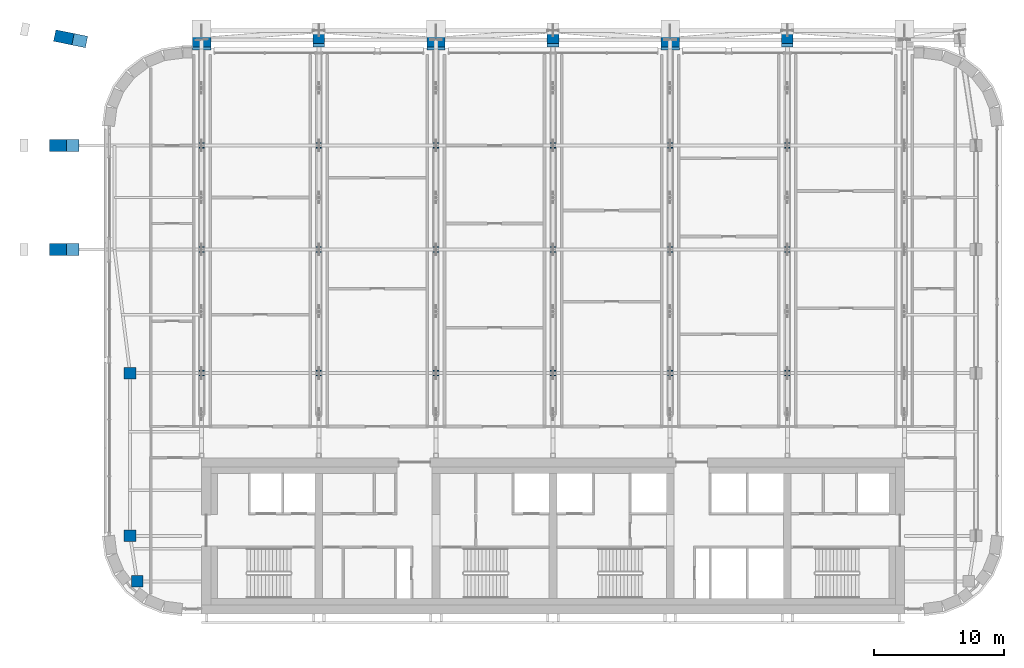
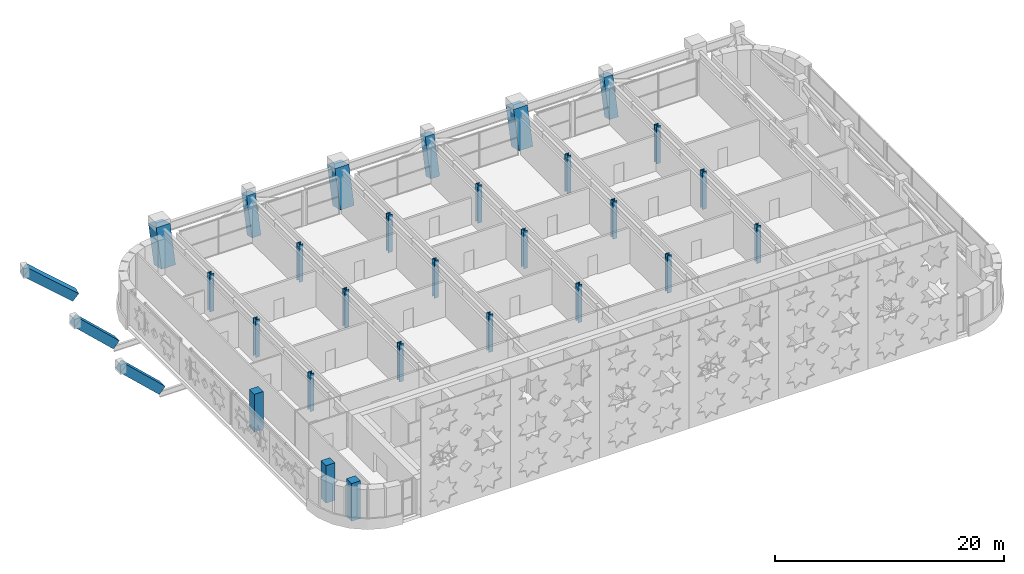
# One storey, part 1 of 26: 30 columns.
"""IFC4 building model written with IfcOpenShell, lengths in metres."""

from ifc_helpers import new_model, si_unit, direction, frame, origin, origin_2d, place, context, subcontext, project, spatial, rectangle, i_section, extrude, clip, halfspace, material, material_profile, profile_set, type_object, element, save


model = new_model("IFC4")

# Units and contexts
model_context = context("Model", 3, precision=1e-05, world=origin(), true_north=direction((0.0, 1.0)))
body_context = subcontext(model_context, "Body", "Model", "MODEL_VIEW")
ifc_project = project(units=[si_unit("LENGTHUNIT", "METRE"), si_unit("AREAUNIT", "SQUARE_METRE"), si_unit("VOLUMEUNIT", "CUBIC_METRE"), si_unit("PLANEANGLEUNIT", "RADIAN"), si_unit("MASSUNIT", "GRAM", prefix="KILO")], contexts=[model_context])

# Site, building, storey
site_placement = place(None, origin())
site = spatial("IfcSite", under=ifc_project, at=site_placement, CompositionType="ELEMENT")
building_placement = place(site_placement, origin())
building = spatial("IfcBuilding", under=site, at=building_placement, Name="Zellij Exchange Tower", CompositionType="ELEMENT")
storey_placement = place(building_placement, frame((0.0, 0.0, 216.5)))
storey = spatial("IfcBuildingStorey", under=building, at=storey_placement, Name="L50", CompositionType="ELEMENT", Elevation=216.5)

# Columns
ifc_material_1 = material(Name="Concrete C60/75", Category="concrete")
ifc_material_profile_1 = material_profile(ifc_material_1, rectangle(XDim=0.89990234375, YDim=0.89990234375, at=origin_2d()), Name="STR-COLUMN RC900x900 C60/75")
ifc_profile_set_1 = profile_set([ifc_material_profile_1], Name="Concrete C60/75")
column_type_1 = type_object("IfcColumnType", Name="STR-COLUMN RC900x900 C60/75", PredefinedType="COLUMN", material=ifc_profile_set_1)
for number, where, z_axis, x_axis, name in (
    (1, (-31.949951171875, -11.5, 0.0), (0.0, 0.0, 1.0), (1.0, 0.0, 0.0), "C16"),
    (2, (-32.5, -8.0, 0.0), (0.0, 0.0, 1.0), (1.0, 0.0, 0.0), "C16"),
    (3, (-32.5, 4.5, 0.0), (0.0, 0.0, 1.0), (1.0, 0.0, 0.0), "C16"),
):
    element("IfcColumn", number, at=place(storey_placement, frame(where, z_axis=z_axis, x_axis=x_axis)), inside=storey, type_object=column_type_1, Name=name, PredefinedType="COLUMN", context=body_context, shape_type="SweptSolid", body=[
        extrude(rectangle(XDim=0.89990234375, YDim=0.89990234375, at=origin_2d()), origin(), (0.0, 0.0, 1.0), 4.0),
    ])
for number, where, z_axis, x_axis, name in (
    (4, (-18.0, 30.0, 0.0), (0.0, 0.242535625036, 0.970142500145), (-1.0, 0.0, 0.0), "C16"),
    (5, (0.0, 30.0, 0.0), (0.0, 0.242535625036, 0.970142500145), (-1.0, 0.0, 0.0), "C16"),
    (6, (18.0, 30.0, 0.0), (0.0, 0.242535625036, 0.970142500145), (-1.0, 0.0, 0.0), "C16"),
):
    element("IfcColumn", number, at=place(storey_placement, frame(where, z_axis=z_axis, x_axis=x_axis)), inside=storey, type_object=column_type_1, Name=name, PredefinedType="COLUMN", context=body_context, shape_type="Clipping", body=[
        clip(extrude(rectangle(XDim=0.89990234375, YDim=0.89990234375, at=origin_2d()), origin(), (0.0, 0.0, 1.0), 4.123046875), halfspace(frame((0.0, 0.0, 4.010498046875)), False)),
    ])
ifc_material_2 = material(Name="Structural steel ASTM A913 Gr 65", Category="steel")
ifc_material_profile_2 = material_profile(ifc_material_2, i_section(OverallWidth=0.408935546875, OverallDepth=0.424072265625, WebThickness=0.03271484375, FlangeThickness=0.052490234375, at=origin_2d()), Name="W14x283")
ifc_profile_set_2 = profile_set([ifc_material_profile_2], Name="Structural steel ASTM A913 Gr 65")
column_type_2 = type_object("IfcColumnType", Name="STR-COLUMN W14x283", PredefinedType="COLUMN", material=ifc_profile_set_2)
for number, where, z_axis, x_axis, name in (
    (7, (-27.0, 4.5, 0.0), (0.0, 0.0, 1.0), (1.0, 0.0, 0.0), "C3"),
    (8, (-18.0, 4.5, 0.0), (0.0, 0.0, 1.0), (1.0, 0.0, 0.0), "C3"),
    (9, (-9.0, 4.5, 0.0), (0.0, 0.0, 1.0), (1.0, 0.0, 0.0), "C3"),
    (10, (0.0, 4.5, 0.0), (0.0, 0.0, 1.0), (1.0, 0.0, 0.0), "C3"),
    (11, (9.0, 4.5, 0.0), (0.0, 0.0, 1.0), (1.0, 0.0, 0.0), "C3"),
    (12, (18.0, 4.5, 0.0), (0.0, 0.0, 1.0), (1.0, 0.0, 0.0), "C3"),
    (13, (-27.0, 14.0, 0.0), (0.0, 0.0, 1.0), (1.0, 0.0, 0.0), "C3"),
    (14, (-18.0, 14.0, 0.0), (0.0, 0.0, 1.0), (1.0, 0.0, 0.0), "C3"),
    (15, (-9.0, 14.0, 0.0), (0.0, 0.0, 1.0), (1.0, 0.0, 0.0), "C3"),
    (16, (0.0, 14.0, 0.0), (0.0, 0.0, 1.0), (1.0, 0.0, 0.0), "C3"),
    (17, (9.0, 14.0, 0.0), (0.0, 0.0, 1.0), (1.0, 0.0, 0.0), "C3"),
    (18, (18.0, 14.0, 0.0), (0.0, 0.0, 1.0), (1.0, 0.0, 0.0), "C3"),
    (19, (-27.0, 22.0, 0.0), (0.0, 0.0, 1.0), (1.0, 0.0, 0.0), "C3"),
    (20, (-18.0, 22.0, 0.0), (0.0, 0.0, 1.0), (1.0, 0.0, 0.0), "C3"),
    (21, (-9.0, 22.0, 0.0), (0.0, 0.0, 1.0), (1.0, 0.0, 0.0), "C3"),
    (22, (0.0, 22.0, 0.0), (0.0, 0.0, 1.0), (1.0, 0.0, 0.0), "C3"),
    (23, (9.0, 22.0, 0.0), (0.0, 0.0, 1.0), (1.0, 0.0, 0.0), "C3"),
    (24, (18.0, 22.0, 0.0), (0.0, 0.0, 1.0), (1.0, 0.0, 0.0), "C3"),
):
    element("IfcColumn", number, at=place(storey_placement, frame(where, z_axis=z_axis, x_axis=x_axis)), inside=storey, type_object=column_type_2, Name=name, PredefinedType="COLUMN", context=body_context, shape_type="SweptSolid", body=[
        extrude(i_section(OverallWidth=0.408935546875, OverallDepth=0.424072265625, WebThickness=0.03271484375, FlangeThickness=0.052490234375, at=origin_2d()), origin(), (0.0, 0.0, 1.0), 4.0),
    ])
ifc_material_profile_3 = material_profile(ifc_material_1, rectangle(XDim=0.89990234375, YDim=0.89990234375, at=origin_2d()), Name="STR-END BLOCK STRUT RC900x900 C60/75")
ifc_profile_set_3 = profile_set([ifc_material_profile_3], Name="Concrete C60/75")
column_type_3 = type_object("IfcColumnType", Name="STR-END BLOCK STRUT RC900x900 C60/75", PredefinedType="COLUMN", material=ifc_profile_set_3)
for number, where, z_axis, x_axis, name in (
    (25, (-36.75, 14.0, 0.0), (-0.728199992693, 0.0, 0.685364699005), (0.0, -1.0, 0.0), "ES2"),
    (26, (-36.75, 22.0, 0.0), (-0.728199992693, 0.0, 0.685364699005), (0.0, -1.0, 0.0), "ES2"),
):
    element("IfcColumn", number, at=place(storey_placement, frame(where, z_axis=z_axis, x_axis=x_axis)), inside=storey, type_object=column_type_3, Name=name, PredefinedType="COLUMN", context=body_context, shape_type="Clipping", body=[
        clip(extrude(rectangle(XDim=0.89990234375, YDim=0.89990234375, at=origin_2d()), origin(), (0.0, 0.0, 1.0), 5.83642578125), halfspace(frame((0.0, 0.0, 5.358154296875)), False)),
    ])
column_placement = place(storey_placement, frame((-36.125, 30.0, 0.0), z_axis=(-0.76353256999, 0.156622065639, 0.626488262556), x_axis=(-0.200944143721, -0.979602700641, 0.0)))
element("IfcColumn", 27, at=column_placement, inside=storey, type_object=column_type_3, Name="ES2", PredefinedType="COLUMN", context=body_context, shape_type="Clipping", body=[
    clip(extrude(rectangle(XDim=0.89990234375, YDim=0.89990234375, at=origin_2d()), origin(), (0.0, 0.0, 1.0), 6.384765625), halfspace(frame((0.0, 0.0, 5.824951171875)), False)),
])
ifc_material_profile_4 = material_profile(ifc_material_1, rectangle(XDim=1.39990234375, YDim=1.39990234375, at=origin_2d()), Name="STR-MEGA COLUMN RC1400x1400 C60/75")
ifc_profile_set_4 = profile_set([ifc_material_profile_4], Name="Concrete C60/75")
column_type_4 = type_object("IfcColumnType", Name="STR-MEGA COLUMN RC1400x1400 C60/75", PredefinedType="COLUMN", material=ifc_profile_set_4)
for number, where, z_axis, x_axis, name in (
    (28, (-27.0, 30.0, 0.0), (0.0, 0.242535625036, 0.970142500145), (-1.0, 0.0, 0.0), "MC3"),
    (29, (-9.0, 30.0, 0.0), (0.0, 0.242535625036, 0.970142500145), (-1.0, 0.0, 0.0), "MC3"),
    (30, (9.0, 30.0, 0.0), (0.0, 0.242535625036, 0.970142500145), (-1.0, 0.0, 0.0), "MC3"),
):
    element("IfcColumn", number, at=place(storey_placement, frame(where, z_axis=z_axis, x_axis=x_axis)), inside=storey, type_object=column_type_4, Name=name, PredefinedType="COLUMN", context=body_context, shape_type="Clipping", body=[
        clip(extrude(rectangle(XDim=1.39990234375, YDim=1.39990234375, at=origin_2d()), origin(), (0.0, 0.0, 1.0), 4.123046875), halfspace(frame((0.0, 0.0, 3.947998046875)), False)),
    ])

save(model, "model.ifc")
